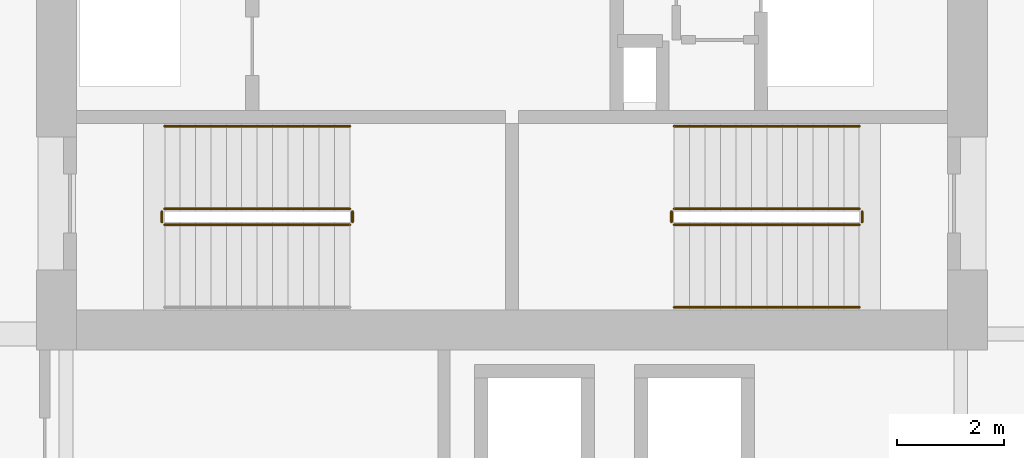
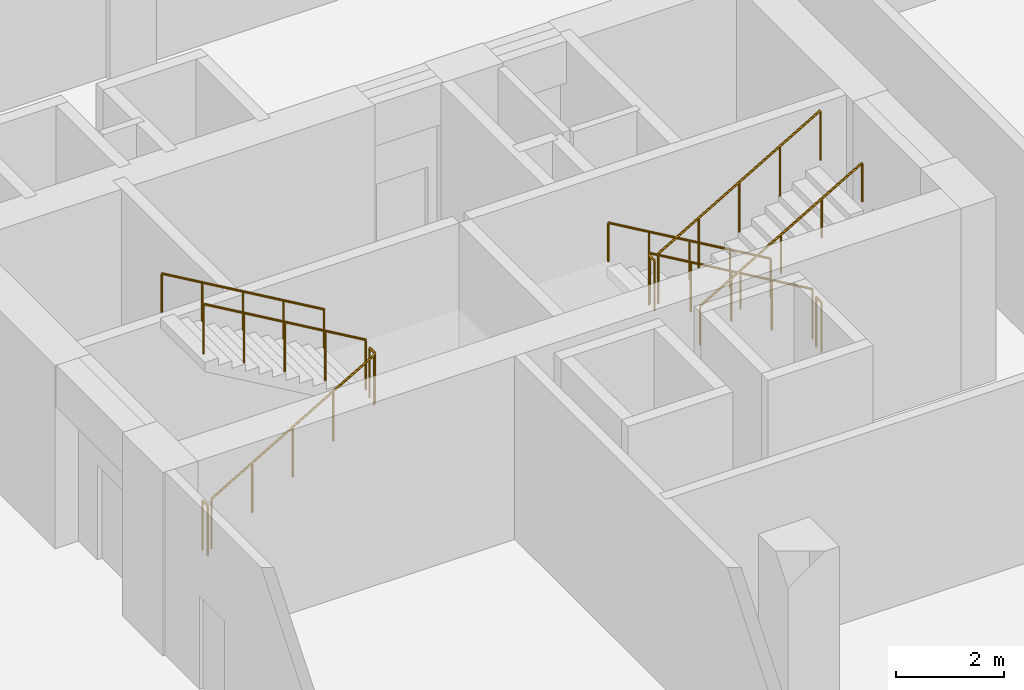
# One storey, part 19 of 22: 11 railings.
"""IFC4 building model written with IfcOpenShell, lengths in metres."""

from ifc_helpers import new_model, si_unit, direction, frame, origin, origin_2d, place, context, subcontext, project, spatial, circle, extrude, material, type_object, element, save


model = new_model("IFC4")

# Units and contexts
model_context = context("Model", 3, precision=1e-05, world=origin(), true_north=direction((0.0, 1.0)))
body_context = subcontext(model_context, "Body", "Model", "MODEL_VIEW")
ifc_project = project(units=[si_unit("LENGTHUNIT", "METRE"), si_unit("AREAUNIT", "SQUARE_METRE"), si_unit("VOLUMEUNIT", "CUBIC_METRE"), si_unit("PLANEANGLEUNIT", "RADIAN"), si_unit("MASSUNIT", "GRAM", prefix="KILO")], contexts=[model_context])

# Site, building, storey
site_placement = place(None, origin())
site = spatial("IfcSite", under=ifc_project, at=site_placement, CompositionType="ELEMENT")
building_placement = place(site_placement, origin())
building = spatial("IfcBuilding", under=site, at=building_placement, Name="Koriwani Terraces Tower", CompositionType="ELEMENT")
storey_placement = place(building_placement, frame((0.0, 0.0, 153.199951171875)))
storey = spatial("IfcBuildingStorey", under=building, at=storey_placement, Name="L37", CompositionType="ELEMENT", Elevation=153.199951171875)

# Railings
ifc_material = material(Name="Steel ASTM A572 Grade 50", Category="steel")
railing_type_1 = type_object("IfcRailingType", Name="GUARD_STAIR_WELL_1120", PredefinedType="GUARDRAIL", material=ifc_material)
railing_1_placement = place(storey_placement, frame((43.85009765625, 18.85009765625, 0.169189453125)))
element("IfcRailing", 1, at=railing_1_placement, inside=storey, type_object=railing_type_1, Name="L37 ST-E1 stair guard 1", PredefinedType="GUARDRAIL", context=body_context, shape_type="SweptSolid", body=[
    extrude(circle(Radius=0.02392578125, at=origin_2d()), frame((0.0, 0.0, 1.1259765625), z_axis=(0.863695377172, 0.0, 0.504014181796), x_axis=(0.0, 1.0, 0.0)), (0.0, 0.0, 1.0), 4.029296875),
    extrude(circle(Radius=0.02099609375, at=origin_2d()), origin(), (0.0, 0.0, 1.0), 1.101806640625),
    extrude(circle(Radius=0.02099609375, at=origin_2d()), frame((0.8701171875, 0.0, 0.5078125)), (0.0, 0.0, 1.0), 1.101806640625),
    extrude(circle(Radius=0.02099609375, at=origin_2d()), frame((1.739990234375, 0.0, 1.015380859375)), (0.0, 0.0, 1.0), 1.101806640625),
    extrude(circle(Radius=0.02099609375, at=origin_2d()), frame((2.60986328125, 0.0, 1.52294921875)), (0.0, 0.0, 1.0), 1.101806640625),
    extrude(circle(Radius=0.02099609375, at=origin_2d()), frame((3.47998046875, 0.0, 2.03076171875)), (0.0, 0.0, 1.0), 1.101806640625),
])
railing_2_placement = place(storey_placement, frame((47.3798828125, 18.89990234375, 2.199951171875)))
element("IfcRailing", 2, at=railing_2_placement, inside=storey, type_object=railing_type_1, Name="L37 ST-E1 stair guard 2", PredefinedType="GUARDRAIL", context=body_context, shape_type="SweptSolid", body=[
    extrude(circle(Radius=0.02392578125, at=origin_2d()), frame((0.0, 0.0, 1.1259765625), z_axis=(0.0, 1.0, 0.0), x_axis=(-1.0, 0.0, 0.0)), (0.0, 0.0, 1.0), 0.2001953125),
    extrude(circle(Radius=0.02099609375, at=origin_2d()), origin(), (0.0, 0.0, 1.0), 1.101806640625),
    extrude(circle(Radius=0.02099609375, at=origin_2d()), frame((0.0, 0.2001953125, 0.0)), (0.0, 0.0, 1.0), 1.101806640625),
])
railing_3_placement = place(storey_placement, frame((47.330078125, 19.14990234375, 2.369384765625)))
element("IfcRailing", 3, at=railing_3_placement, inside=storey, type_object=railing_type_1, Name="L37 ST-E1 stair guard 3", PredefinedType="GUARDRAIL", context=body_context, shape_type="SweptSolid", body=[
    extrude(circle(Radius=0.02392578125, at=origin_2d()), frame((0.0, 0.0, 1.1259765625), z_axis=(-0.863695377172, 0.0, 0.504014181796), x_axis=(0.0, -1.0, 0.0)), (0.0, 0.0, 1.0), 4.029296875),
    extrude(circle(Radius=0.02099609375, at=origin_2d()), origin(), (0.0, 0.0, 1.0), 1.101806640625),
    extrude(circle(Radius=0.02099609375, at=origin_2d()), frame((-0.8701171875, 0.0, 0.5078125)), (0.0, 0.0, 1.0), 1.101806640625),
    extrude(circle(Radius=0.02099609375, at=origin_2d()), frame((-1.739990234375, 0.0, 1.015380859375)), (0.0, 0.0, 1.0), 1.101806640625),
    extrude(circle(Radius=0.02099609375, at=origin_2d()), frame((-2.60986328125, 0.0, 1.52294921875)), (0.0, 0.0, 1.0), 1.101806640625),
    extrude(circle(Radius=0.02099609375, at=origin_2d()), frame((-3.47998046875, 0.0, 2.03076171875)), (0.0, 0.0, 1.0), 1.101806640625),
])
railing_4_placement = place(storey_placement, frame((43.800048828125, 18.89990234375, 0.0)))
element("IfcRailing", 4, at=railing_4_placement, inside=storey, type_object=railing_type_1, Name="L37 ST-E1 stair guard 4", PredefinedType="GUARDRAIL", context=body_context, shape_type="SweptSolid", body=[
    extrude(circle(Radius=0.02392578125, at=origin_2d()), frame((0.0, 0.0, 1.1259765625), z_axis=(0.0, 1.0, 0.0), x_axis=(-1.0, 0.0, 0.0)), (0.0, 0.0, 1.0), 0.2001953125),
    extrude(circle(Radius=0.02099609375, at=origin_2d()), origin(), (0.0, 0.0, 1.0), 1.101806640625),
    extrude(circle(Radius=0.02099609375, at=origin_2d()), frame((0.0, 0.2001953125, 0.0)), (0.0, 0.0, 1.0), 1.101806640625),
])
railing_5_placement = place(storey_placement, frame((56.89990234375, 19.14990234375, 0.169189453125)))
element("IfcRailing", 5, at=railing_5_placement, inside=storey, type_object=railing_type_1, Name="L37 ST-E2 stair guard 1", PredefinedType="GUARDRAIL", context=body_context, shape_type="SweptSolid", body=[
    extrude(circle(Radius=0.02392578125, at=origin_2d()), frame((0.0, 0.0, 1.1259765625), z_axis=(-0.863695377172, 0.0, 0.504014181796), x_axis=(0.0, -1.0, 0.0)), (0.0, 0.0, 1.0), 4.029296875),
    extrude(circle(Radius=0.02099609375, at=origin_2d()), origin(), (0.0, 0.0, 1.0), 1.101806640625),
    extrude(circle(Radius=0.02099609375, at=origin_2d()), frame((-0.8701171875, 0.0, 0.5078125)), (0.0, 0.0, 1.0), 1.101806640625),
    extrude(circle(Radius=0.02099609375, at=origin_2d()), frame((-1.739990234375, 0.0, 1.015380859375)), (0.0, 0.0, 1.0), 1.101806640625),
    extrude(circle(Radius=0.02099609375, at=origin_2d()), frame((-2.60986328125, 0.0, 1.52294921875)), (0.0, 0.0, 1.0), 1.101806640625),
    extrude(circle(Radius=0.02099609375, at=origin_2d()), frame((-3.47998046875, 0.0, 2.03076171875)), (0.0, 0.0, 1.0), 1.101806640625),
])
railing_6_placement = place(storey_placement, frame((53.3701171875, 19.10009765625, 2.199951171875)))
element("IfcRailing", 6, at=railing_6_placement, inside=storey, type_object=railing_type_1, Name="L37 ST-E2 stair guard 2", PredefinedType="GUARDRAIL", context=body_context, shape_type="SweptSolid", body=[
    extrude(circle(Radius=0.02392578125, at=origin_2d()), frame((0.0, 0.0, 1.1259765625), z_axis=(0.0, -1.0, 0.0), x_axis=(1.0, 0.0, 0.0)), (0.0, 0.0, 1.0), 0.2001953125),
    extrude(circle(Radius=0.02099609375, at=origin_2d()), origin(), (0.0, 0.0, 1.0), 1.101806640625),
    extrude(circle(Radius=0.02099609375, at=origin_2d()), frame((0.0, -0.2001953125, 0.0)), (0.0, 0.0, 1.0), 1.101806640625),
])
railing_7_placement = place(storey_placement, frame((53.419921875, 18.85009765625, 2.369384765625)))
element("IfcRailing", 7, at=railing_7_placement, inside=storey, type_object=railing_type_1, Name="L37 ST-E2 stair guard 3", PredefinedType="GUARDRAIL", context=body_context, shape_type="SweptSolid", body=[
    extrude(circle(Radius=0.02392578125, at=origin_2d()), frame((0.0, 0.0, 1.1259765625), z_axis=(0.863695377172, 0.0, 0.504014181796), x_axis=(0.0, 1.0, 0.0)), (0.0, 0.0, 1.0), 4.029296875),
    extrude(circle(Radius=0.02099609375, at=origin_2d()), origin(), (0.0, 0.0, 1.0), 1.101806640625),
    extrude(circle(Radius=0.02099609375, at=origin_2d()), frame((0.8701171875, 0.0, 0.5078125)), (0.0, 0.0, 1.0), 1.101806640625),
    extrude(circle(Radius=0.02099609375, at=origin_2d()), frame((1.739990234375, 0.0, 1.015380859375)), (0.0, 0.0, 1.0), 1.101806640625),
    extrude(circle(Radius=0.02099609375, at=origin_2d()), frame((2.60986328125, 0.0, 1.52294921875)), (0.0, 0.0, 1.0), 1.101806640625),
    extrude(circle(Radius=0.02099609375, at=origin_2d()), frame((3.47998046875, 0.0, 2.03076171875)), (0.0, 0.0, 1.0), 1.101806640625),
])
railing_8_placement = place(storey_placement, frame((56.949951171875, 19.10009765625, 0.0)))
element("IfcRailing", 8, at=railing_8_placement, inside=storey, type_object=railing_type_1, Name="L37 ST-E2 stair guard 4", PredefinedType="GUARDRAIL", context=body_context, shape_type="SweptSolid", body=[
    extrude(circle(Radius=0.02392578125, at=origin_2d()), frame((0.0, 0.0, 1.1259765625), z_axis=(0.0, -1.0, 0.0), x_axis=(1.0, 0.0, 0.0)), (0.0, 0.0, 1.0), 0.2001953125),
    extrude(circle(Radius=0.02099609375, at=origin_2d()), origin(), (0.0, 0.0, 1.0), 1.101806640625),
    extrude(circle(Radius=0.02099609375, at=origin_2d()), frame((0.0, -0.2001953125, 0.0)), (0.0, 0.0, 1.0), 1.101806640625),
])
railing_type_2 = type_object("IfcRailingType", Name="HANDRAIL_STAIR_920", PredefinedType="HANDRAIL", material=ifc_material)
for number, where, name in (
    (9, (47.330078125, 20.699951171875, 2.369384765625), "L37 ST-E1 stair handrail 2"),
    (10, (56.89990234375, 20.699951171875, 0.169189453125), "L37 ST-E2 stair handrail 1"),
):
    element("IfcRailing", number, at=place(storey_placement, frame(where)), inside=storey, type_object=railing_type_2, Name=name, PredefinedType="HANDRAIL", context=body_context, shape_type="SweptSolid", body=[
        extrude(circle(Radius=0.02392578125, at=origin_2d()), frame((0.0, 0.0, 0.8759765625), z_axis=(-0.863695377172, 0.0, 0.504014181796), x_axis=(0.0, -1.0, 0.0)), (0.0, 0.0, 1.0), 4.029296875),
        extrude(circle(Radius=0.02099609375, at=origin_2d()), origin(), (0.0, 0.0, 1.0), 0.851806640625),
        extrude(circle(Radius=0.02099609375, at=origin_2d()), frame((-0.8701171875, 0.0, 0.5078125)), (0.0, 0.0, 1.0), 0.851806640625),
        extrude(circle(Radius=0.02099609375, at=origin_2d()), frame((-1.739990234375, 0.0, 1.015380859375)), (0.0, 0.0, 1.0), 0.851806640625),
        extrude(circle(Radius=0.02099609375, at=origin_2d()), frame((-2.60986328125, 0.0, 1.52294921875)), (0.0, 0.0, 1.0), 0.851806640625),
        extrude(circle(Radius=0.02099609375, at=origin_2d()), frame((-3.47998046875, 0.0, 2.03076171875)), (0.0, 0.0, 1.0), 0.851806640625),
    ])
railing_9_placement = place(storey_placement, frame((53.419921875, 17.300048828125, 2.369384765625)))
element("IfcRailing", 11, at=railing_9_placement, inside=storey, type_object=railing_type_2, Name="L37 ST-E2 stair handrail 2", PredefinedType="HANDRAIL", context=body_context, shape_type="SweptSolid", body=[
    extrude(circle(Radius=0.02392578125, at=origin_2d()), frame((0.0, 0.0, 0.8759765625), z_axis=(0.863695377172, 0.0, 0.504014181796), x_axis=(0.0, 1.0, 0.0)), (0.0, 0.0, 1.0), 4.029296875),
    extrude(circle(Radius=0.02099609375, at=origin_2d()), origin(), (0.0, 0.0, 1.0), 0.851806640625),
    extrude(circle(Radius=0.02099609375, at=origin_2d()), frame((0.8701171875, 0.0, 0.5078125)), (0.0, 0.0, 1.0), 0.851806640625),
    extrude(circle(Radius=0.02099609375, at=origin_2d()), frame((1.739990234375, 0.0, 1.015380859375)), (0.0, 0.0, 1.0), 0.851806640625),
    extrude(circle(Radius=0.02099609375, at=origin_2d()), frame((2.60986328125, 0.0, 1.52294921875)), (0.0, 0.0, 1.0), 0.851806640625),
    extrude(circle(Radius=0.02099609375, at=origin_2d()), frame((3.47998046875, 0.0, 2.03076171875)), (0.0, 0.0, 1.0), 0.851806640625),
])

save(model, "model.ifc")
